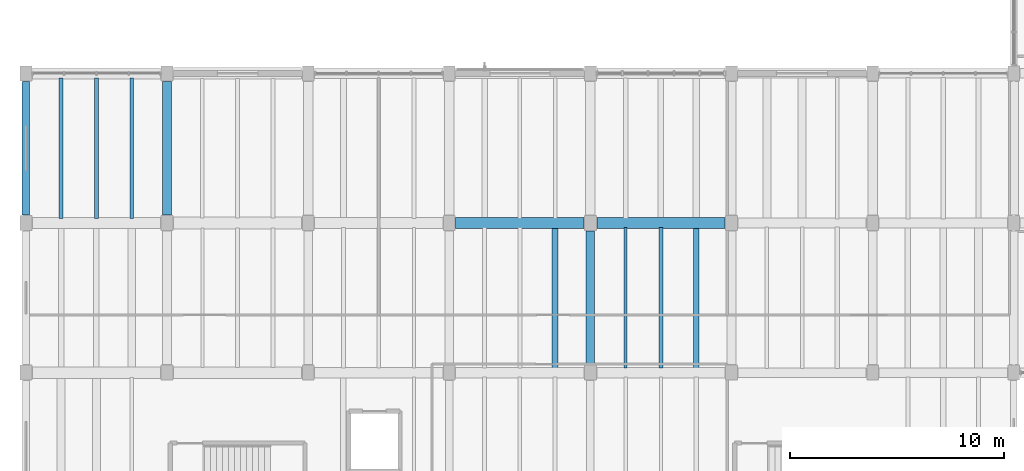
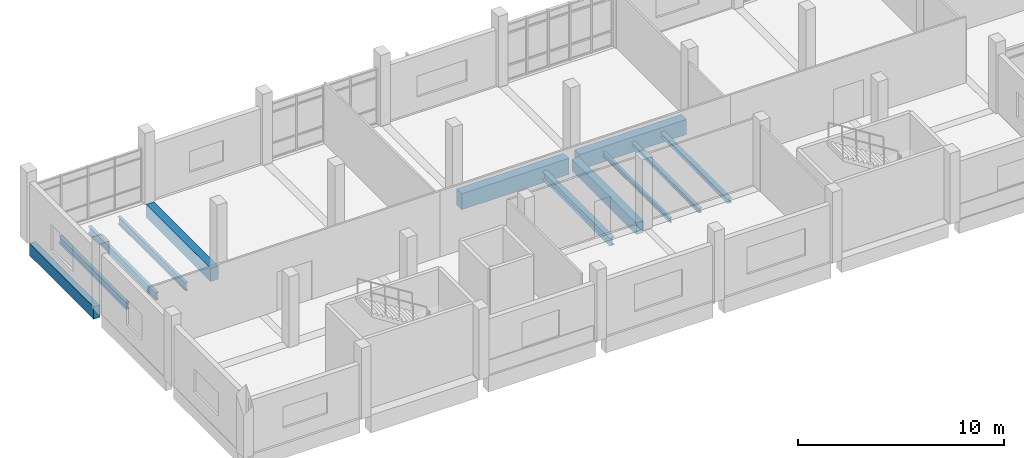
# One storey, part 3 of 68: 12 beams.
"""IFC4 building model written with IfcOpenShell, lengths in metres."""

from ifc_helpers import new_model, si_unit, direction, frame, origin, origin_2d, place, context, subcontext, project, spatial, rectangle, i_section, extrude, material, material_profile, profile_set, type_object, element, save


model = new_model("IFC4")

# Units and contexts
model_context = context("Model", 3, precision=1e-05, world=origin(), true_north=direction((0.0, 1.0)))
body_context = subcontext(model_context, "Body", "Model", "MODEL_VIEW")
ifc_project = project(units=[si_unit("LENGTHUNIT", "METRE"), si_unit("AREAUNIT", "SQUARE_METRE"), si_unit("VOLUMEUNIT", "CUBIC_METRE"), si_unit("PLANEANGLEUNIT", "RADIAN"), si_unit("MASSUNIT", "GRAM", prefix="KILO")], contexts=[model_context])

# Site, building, storey
site_placement = place(None, origin())
site = spatial("IfcSite", under=ifc_project, at=site_placement, CompositionType="ELEMENT")
building_placement = place(site_placement, origin())
building = spatial("IfcBuilding", under=site, at=building_placement, Name="Ciguamira Faculty of Natural Sciences", CompositionType="ELEMENT")
storey_placement = place(building_placement, frame((0.0, 0.0, 4.199951171875)))
storey = spatial("IfcBuildingStorey", under=building, at=storey_placement, Name="L01", CompositionType="ELEMENT", Elevation=4.199951171875)

# Beams
ifc_material_1 = material(Name="Concrete C40/50", Category="concrete")
ifc_material_profile_1 = material_profile(ifc_material_1, rectangle(XDim=0.5, YDim=0.949951171875, at=origin_2d()), Name="RC-BM-500X950")
ifc_profile_set_1 = profile_set([ifc_material_profile_1], Name="Concrete C40/50")
beam_type_1 = type_object("IfcBeamType", Name="RCBeam_BG-02_RC-BM-500X950", PredefinedType="BEAM", material=ifc_profile_set_1)
beam_1_placement = place(storey_placement, frame((24.60009765625, 17.0, -0.474853515625), z_axis=(1.0, 0.0, 0.0), x_axis=(0.0, 1.0, 0.0)))
element("IfcBeam", 1, at=beam_1_placement, inside=storey, type_object=beam_type_1, Name="L01 RC girder EW-0393", PredefinedType="BEAM", context=body_context, shape_type="SweptSolid", body=[
    extrude(rectangle(XDim=0.5, YDim=0.949951171875, at=origin_2d()), origin(), (0.0, 0.0, 1.0), 6.0),
])
ifc_material_profile_2 = material_profile(ifc_material_1, rectangle(XDim=0.5, YDim=0.89990234375, at=origin_2d()), Name="RC-BM-500X900")
ifc_profile_set_2 = profile_set([ifc_material_profile_2], Name="Concrete C40/50")
beam_type_2 = type_object("IfcBeamType", Name="RCBeam_BG-03_RC-BM-500X900", PredefinedType="BEAM", material=ifc_profile_set_2)
beam_2_placement = place(storey_placement, frame((31.199951171875, 17.0, -0.449951171875), z_axis=(1.0, 0.0, 0.0), x_axis=(0.0, 1.0, 0.0)))
element("IfcBeam", 2, at=beam_2_placement, inside=storey, type_object=beam_type_2, Name="L01 RC girder EW-0394", PredefinedType="BEAM", context=body_context, shape_type="SweptSolid", body=[
    extrude(rectangle(XDim=0.5, YDim=0.89990234375, at=origin_2d()), origin(), (0.0, 0.0, 1.0), 6.0),
])
ifc_material_profile_3 = material_profile(ifc_material_1, rectangle(XDim=0.43994140625, YDim=0.780029296875, at=origin_2d()), Name="RC-BM-440X780")
ifc_profile_set_3 = profile_set([ifc_material_profile_3], Name="Concrete C40/50")
beam_type_3 = type_object("IfcBeamType", Name="RCBeam_BG-06_RC-BM-440X780", PredefinedType="BEAM", material=ifc_profile_set_3)
beam_3_placement = place(storey_placement, frame((11.10009765625, 17.375, -0.389892578125), z_axis=(0.0, 1.0, 0.0), x_axis=(-1.0, 0.0, 0.0)))
element("IfcBeam", 3, at=beam_3_placement, inside=storey, type_object=beam_type_3, Name="L01 girder NS-0553", PredefinedType="BEAM", context=body_context, shape_type="SweptSolid", body=[
    extrude(rectangle(XDim=0.43994140625, YDim=0.780029296875, at=origin_2d()), origin(), (0.0, 0.0, 1.0), 6.25),
])
ifc_material_profile_4 = material_profile(ifc_material_1, rectangle(XDim=0.39990234375, YDim=0.699951171875, at=origin_2d()), Name="RC-BM-400X700")
ifc_profile_set_4 = profile_set([ifc_material_profile_4], Name="Concrete C40/50")
beam_type_4 = type_object("IfcBeamType", Name="RCBeam_BG-08_RC-BM-400X700", PredefinedType="BEAM", material=ifc_profile_set_4)
beam_4_placement = place(storey_placement, frame((30.89990234375, 10.375, -0.349853515625), z_axis=(0.0, 1.0, 0.0), x_axis=(-1.0, 0.0, 0.0)))
element("IfcBeam", 4, at=beam_4_placement, inside=storey, type_object=beam_type_4, Name="L01 girder NS-0560", PredefinedType="BEAM", context=body_context, shape_type="SweptSolid", body=[
    extrude(rectangle(XDim=0.39990234375, YDim=0.699951171875, at=origin_2d()), origin(), (0.0, 0.0, 1.0), 6.25),
])
ifc_material_2 = material(Name="Precast concrete C40/50", Category="concrete")
ifc_material_profile_5 = material_profile(ifc_material_2, rectangle(XDim=0.340087890625, YDim=0.719970703125, at=origin_2d()), Name="RC-SP-340X720")
ifc_profile_set_5 = profile_set([ifc_material_profile_5], Name="Precast concrete C40/50")
beam_type_5 = type_object("IfcBeamType", Name="RCBeam_SP-03_RC-SP-340X720", PredefinedType="SPANDREL", material=ifc_profile_set_5)
beam_5_placement = place(storey_placement, frame((4.5, 17.375, -0.35986328125), z_axis=(0.0, 1.0, 0.0), x_axis=(-1.0, 0.0, 0.0)))
element("IfcBeam", 5, at=beam_5_placement, inside=storey, type_object=beam_type_5, Name="L01 girder NS-0551", PredefinedType="SPANDREL", context=body_context, shape_type="SweptSolid", body=[
    extrude(rectangle(XDim=0.340087890625, YDim=0.719970703125, at=origin_2d()), origin(), (0.0, 0.0, 1.0), 6.25),
])
ifc_material_3 = material(Name="Steel ASTM A992 Grade 50", Category="steel")
ifc_material_profile_6 = material_profile(ifc_material_3, i_section(OverallWidth=0.14599609375, OverallDepth=0.259033203125, WebThickness=0.006103515625, FlangeThickness=0.009033203125, at=origin_2d()), Name="W10X22")
ifc_profile_set_6 = profile_set([ifc_material_profile_6], Name="Steel ASTM A992 Grade 50")
beam_type_6 = type_object("IfcBeamType", Name="SteelJoist_SJ-01_W10X22", PredefinedType="JOIST", material=ifc_profile_set_6)
beam_6_placement = place(storey_placement, frame((32.550048828125, 10.2099609375, -0.389404296875), z_axis=(0.0, 1.0, 0.0), x_axis=(-1.0, 0.0, 0.0)))
element("IfcBeam", 6, at=beam_6_placement, inside=storey, type_object=beam_type_6, Name="L01 composite steel joist 00358", PredefinedType="JOIST", context=body_context, shape_type="SweptSolid", body=[
    extrude(i_section(OverallWidth=0.14599609375, OverallDepth=0.259033203125, WebThickness=0.006103515625, FlangeThickness=0.009033203125, at=origin_2d()), origin(), (0.0, 0.0, 1.0), 6.580078125),
])
ifc_material_profile_7 = material_profile(ifc_material_3, i_section(OverallWidth=0.2021484375, OverallDepth=0.2470703125, WebThickness=0.00732421875, FlangeThickness=0.010986328125, at=origin_2d()), Name="W10X33")
ifc_profile_set_7 = profile_set([ifc_material_profile_7], Name="Steel ASTM A992 Grade 50")
beam_type_7 = type_object("IfcBeamType", Name="SteelJoist_SJ-02_W10X33", PredefinedType="JOIST", material=ifc_profile_set_7)
beam_7_placement = place(storey_placement, frame((34.199951171875, 10.2099609375, -0.383544921875), z_axis=(0.0, 1.0, 0.0), x_axis=(-1.0, 0.0, 0.0)))
element("IfcBeam", 7, at=beam_7_placement, inside=storey, type_object=beam_type_7, Name="L01 composite steel joist 00359", PredefinedType="JOIST", context=body_context, shape_type="SweptSolid", body=[
    extrude(i_section(OverallWidth=0.2021484375, OverallDepth=0.2470703125, WebThickness=0.00732421875, FlangeThickness=0.010986328125, at=origin_2d()), origin(), (0.0, 0.0, 1.0), 6.580078125),
])
ifc_material_profile_8 = material_profile(ifc_material_3, i_section(OverallWidth=0.25390625, OverallDepth=0.25390625, WebThickness=0.008544921875, FlangeThickness=0.01416015625, at=origin_2d()), Name="W10X49")
ifc_profile_set_8 = profile_set([ifc_material_profile_8], Name="Steel ASTM A992 Grade 50")
beam_type_8 = type_object("IfcBeamType", Name="SteelJoist_SJ-03_W10X49", PredefinedType="JOIST", material=ifc_profile_set_8)
beam_8_placement = place(storey_placement, frame((35.85009765625, 10.2099609375, -0.386962890625), z_axis=(0.0, 1.0, 0.0), x_axis=(-1.0, 0.0, 0.0)))
element("IfcBeam", 8, at=beam_8_placement, inside=storey, type_object=beam_type_8, Name="L01 composite steel joist 00360", PredefinedType="JOIST", context=body_context, shape_type="SweptSolid", body=[
    extrude(i_section(OverallWidth=0.25390625, OverallDepth=0.25390625, WebThickness=0.008544921875, FlangeThickness=0.01416015625, at=origin_2d()), origin(), (0.0, 0.0, 1.0), 6.580078125),
])
ifc_material_profile_9 = material_profile(ifc_material_3, i_section(OverallWidth=0.1787109375, OverallDepth=0.408935546875, WebThickness=0.0087890625, FlangeThickness=0.014404296875, at=origin_2d()), Name="W16X45")
ifc_profile_set_9 = profile_set([ifc_material_profile_9], Name="Steel ASTM A992 Grade 50")
beam_type_9 = type_object("IfcBeamType", Name="SteelJoist_SJ-19_W16X45", PredefinedType="JOIST", material=ifc_profile_set_9)
beam_9_placement = place(storey_placement, frame((6.14990234375, 17.219970703125, -0.46435546875), z_axis=(0.0, 1.0, 0.0), x_axis=(-1.0, 0.0, 0.0)))
element("IfcBeam", 9, at=beam_9_placement, inside=storey, type_object=beam_type_9, Name="L01 composite steel joist 00329", PredefinedType="JOIST", context=body_context, shape_type="SweptSolid", body=[
    extrude(i_section(OverallWidth=0.1787109375, OverallDepth=0.408935546875, WebThickness=0.0087890625, FlangeThickness=0.014404296875, at=origin_2d()), origin(), (0.0, 0.0, 1.0), 6.56005859375),
])
ifc_material_profile_10 = material_profile(ifc_material_3, i_section(OverallWidth=0.180908203125, OverallDepth=0.41650390625, WebThickness=0.010986328125, FlangeThickness=0.01806640625, at=origin_2d()), Name="W16X57")
ifc_profile_set_10 = profile_set([ifc_material_profile_10], Name="Steel ASTM A992 Grade 50")
beam_type_10 = type_object("IfcBeamType", Name="SteelJoist_SJ-20_W16X57", PredefinedType="JOIST", material=ifc_profile_set_10)
beam_10_placement = place(storey_placement, frame((7.800048828125, 17.219970703125, -0.46826171875), z_axis=(0.0, 1.0, 0.0), x_axis=(-1.0, 0.0, 0.0)))
element("IfcBeam", 10, at=beam_10_placement, inside=storey, type_object=beam_type_10, Name="L01 composite steel joist 00330", PredefinedType="JOIST", context=body_context, shape_type="SweptSolid", body=[
    extrude(i_section(OverallWidth=0.180908203125, OverallDepth=0.41650390625, WebThickness=0.010986328125, FlangeThickness=0.01806640625, at=origin_2d()), origin(), (0.0, 0.0, 1.0), 6.56005859375),
])
ifc_material_profile_11 = material_profile(ifc_material_3, i_section(OverallWidth=0.15234375, OverallDepth=0.449462890625, WebThickness=0.007568359375, FlangeThickness=0.0107421875, at=origin_2d()), Name="W18X35")
ifc_profile_set_11 = profile_set([ifc_material_profile_11], Name="Steel ASTM A992 Grade 50")
beam_type_11 = type_object("IfcBeamType", Name="SteelJoist_SJ-21_W18X35", PredefinedType="JOIST", material=ifc_profile_set_11)
beam_11_placement = place(storey_placement, frame((9.449951171875, 17.219970703125, -0.48486328125), z_axis=(0.0, 1.0, 0.0), x_axis=(-1.0, 0.0, 0.0)))
element("IfcBeam", 11, at=beam_11_placement, inside=storey, type_object=beam_type_11, Name="L01 composite steel joist 00331", PredefinedType="JOIST", context=body_context, shape_type="SweptSolid", body=[
    extrude(i_section(OverallWidth=0.15234375, OverallDepth=0.449462890625, WebThickness=0.007568359375, FlangeThickness=0.0107421875, at=origin_2d()), origin(), (0.0, 0.0, 1.0), 6.56005859375),
])
ifc_material_profile_12 = material_profile(ifc_material_3, i_section(OverallWidth=0.279296875, OverallDepth=0.462158203125, WebThickness=0.0107421875, FlangeThickness=0.017333984375, at=origin_2d()), Name="W18X76")
ifc_profile_set_12 = profile_set([ifc_material_profile_12], Name="Steel ASTM A992 Grade 50")
beam_type_12 = type_object("IfcBeamType", Name="SteelJoist_SJ-25_W18X76", PredefinedType="JOIST", material=ifc_profile_set_12)
beam_12_placement = place(storey_placement, frame((29.25, 10.2099609375, -0.490966796875), z_axis=(0.0, 1.0, 0.0), x_axis=(-1.0, 0.0, 0.0)))
element("IfcBeam", 12, at=beam_12_placement, inside=storey, type_object=beam_type_12, Name="L01 composite steel joist 00351", PredefinedType="JOIST", context=body_context, shape_type="SweptSolid", body=[
    extrude(i_section(OverallWidth=0.279296875, OverallDepth=0.462158203125, WebThickness=0.0107421875, FlangeThickness=0.017333984375, at=origin_2d()), origin(), (0.0, 0.0, 1.0), 6.580078125),
])

save(model, "model.ifc")
